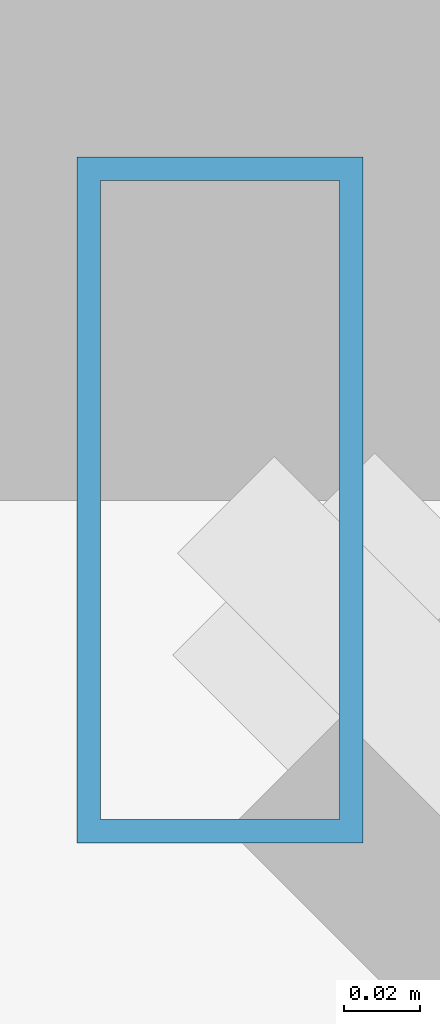
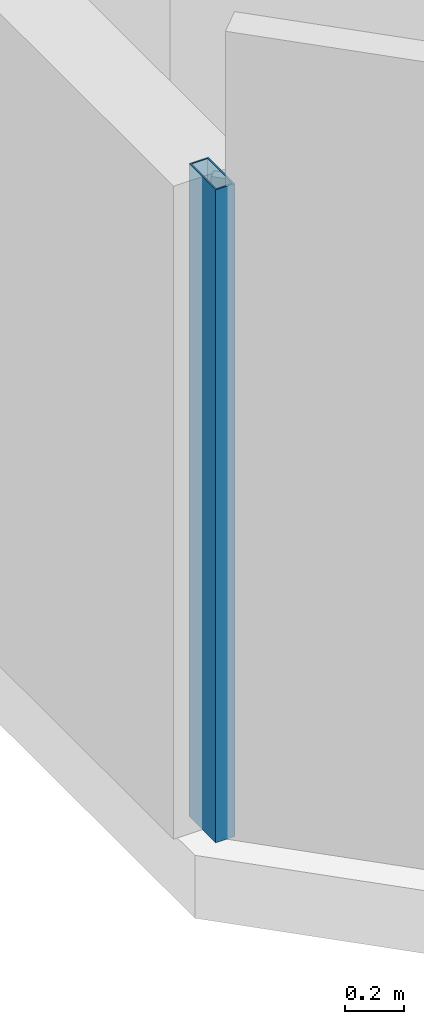
# One storey, part 8 of 34: 1 member, 1 element without a shape of its own.
"""IFC4 building model written with IfcOpenShell, lengths in metres."""

from ifc_helpers import new_model, si_unit, direction, frame, origin, origin_2d, place, context, subcontext, project, spatial, hollow_rectangle, extrude, material, material_profile, profile_set, type_object, element, aggregate, save


model = new_model("IFC4")

# Units and contexts
model_context = context("Model", 3, precision=1e-05, world=origin(), true_north=direction((0.0, 1.0)))
body_context = subcontext(model_context, "Body", "Model", "MODEL_VIEW")
ifc_project = project(units=[si_unit("LENGTHUNIT", "METRE"), si_unit("AREAUNIT", "SQUARE_METRE"), si_unit("VOLUMEUNIT", "CUBIC_METRE"), si_unit("PLANEANGLEUNIT", "RADIAN"), si_unit("MASSUNIT", "GRAM", prefix="KILO")], contexts=[model_context])

# Site, building, storey
site_placement = place(None, origin())
site = spatial("IfcSite", under=ifc_project, at=site_placement, CompositionType="ELEMENT")
building_placement = place(site_placement, origin())
building = spatial("IfcBuilding", under=site, at=building_placement, Name="Thornwick Lancets Civic Towers", CompositionType="ELEMENT")
storey_placement = place(building_placement, frame((0.0, 0.0, 258.300048828125)))
storey = spatial("IfcBuildingStorey", under=building, at=storey_placement, Name="L69", CompositionType="ELEMENT", Elevation=258.300048828125)

# Curtain wall, member
ifc_material_1 = material(Name="High-zone chamfered-corner unitised glass curtain wall", Category="glass")
curtain_wall_type = type_object("IfcCurtainWallType", Name="CW_SYS_05", PredefinedType="NOTDEFINED", material=ifc_material_1)
curtain_wall_placement = place(storey_placement, origin())
curtain_wall = element("IfcCurtainWall", 1, at=curtain_wall_placement, inside=storey, type_object=curtain_wall_type, Name="L69 Curtain Wall CW-L69-B-E7", PredefinedType="NOTDEFINED")
ifc_material_2 = material(Name="Thermally broken bronze aluminium S355", Category="steel")
ifc_material_profile = material_profile(ifc_material_2, hollow_rectangle(XDim=0.074951171875, YDim=0.179931640625, WallThickness=0.006103515625, at=origin_2d()), Name="RHS 180x75x6")
ifc_profile_set = profile_set([ifc_material_profile], Name="Thermally broken bronze aluminium S355")
member_type = type_object("IfcMemberType", Name="CW_MUL_180", PredefinedType="MULLION", material=ifc_profile_set)
member_placement = place(storey_placement, frame((70.7353515625, 11.818603515625, 0.0), z_axis=(0.0, 0.0, 1.0), x_axis=(1.0, 0.0, 0.0)))
member = element("IfcMember", 2, at=member_placement, type_object=member_type, Name="CW-L69-B-E7 Mullion 0", PredefinedType="MULLION", context=body_context, shape_type="SweptSolid", body=[
    extrude(hollow_rectangle(XDim=0.074951171875, YDim=0.179931640625, WallThickness=0.006103515625, at=origin_2d()), origin(), (0.0, 0.0, 1.0), 2.699951171875),
])
aggregate(curtain_wall, [member])

save(model, "model.ifc")
